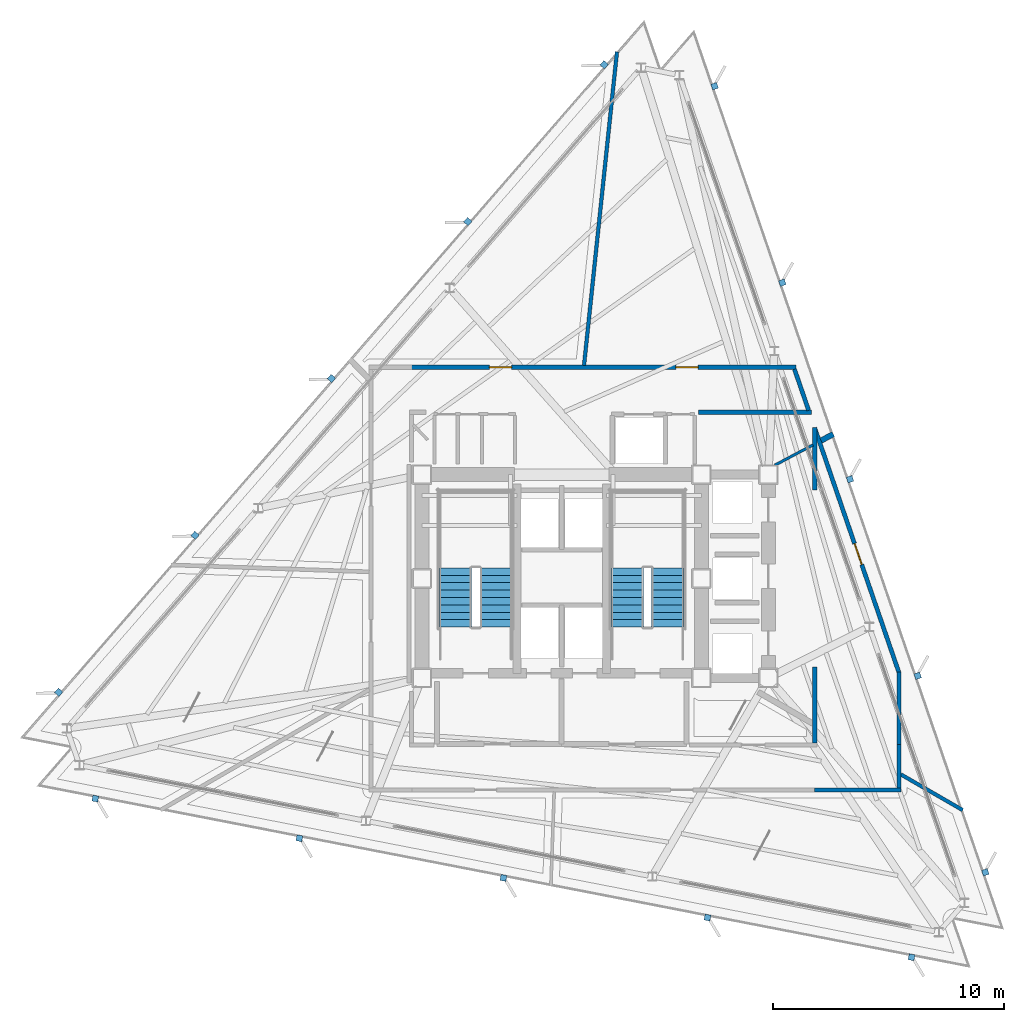
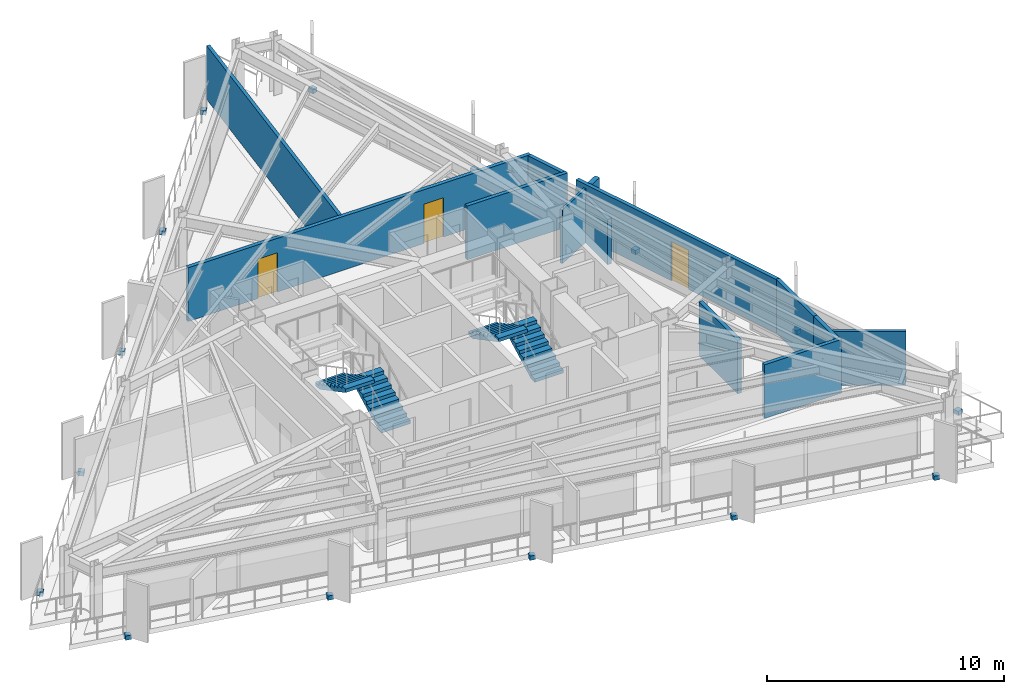
# One storey, part 10 of 13: 15 discrete accessories, 13 walls, 4 stair flights, 3 doors, 3 openings, 2 elements without a shape of their own.
"""IFC4 building model written with IfcOpenShell, lengths in metres."""

from ifc_helpers import new_model, si_unit, direction, frame, frame_2d, origin, origin_2d, place, context, subcontext, project, spatial, polyline, rectangle, outline, extrude, material, layer, layer_set, type_object, element, fill, aggregate, save


model = new_model("IFC4")

# Units and contexts
model_context = context("Model", 3, precision=1e-05, world=origin(), true_north=direction((0.0, 1.0)))
body_context = subcontext(model_context, "Body", "Model", "MODEL_VIEW")
ifc_project = project(units=[si_unit("LENGTHUNIT", "METRE"), si_unit("AREAUNIT", "SQUARE_METRE"), si_unit("VOLUMEUNIT", "CUBIC_METRE"), si_unit("PLANEANGLEUNIT", "RADIAN"), si_unit("MASSUNIT", "GRAM", prefix="KILO")], contexts=[model_context])

# Site, building, storey
site_placement = place(None, origin())
site = spatial("IfcSite", under=ifc_project, at=site_placement, CompositionType="ELEMENT")
building_placement = place(site_placement, origin())
building = spatial("IfcBuilding", under=site, at=building_placement, Name="Rocaltana Carrier Exchange", CompositionType="ELEMENT")
storey_placement = place(building_placement, frame((0.0, 0.0, 162.39990234375)))
storey = spatial("IfcBuildingStorey", under=building, at=storey_placement, Name="L51", CompositionType="ELEMENT", Elevation=162.39990234375)

# Walls
ifc_material_1 = material(Name="Double Acoustic Gypsum Partition", Category="gypsum")
ifc_layer_1 = layer(ifc_material_1, 0.159912109375)
ifc_layer_set_1 = layer_set([ifc_layer_1], Name="Double Acoustic Gypsum Partition")
wall_type_1 = type_object("IfcWallType", Name="Acoustic Studio Partition 160 EI60", PredefinedType="PARTITIONING", material=ifc_layer_set_1)
wall_1_placement = place(storey_placement, frame((14.679931640625, -8.4755859375, 0.0), z_axis=(0.0, 0.0, 1.0), x_axis=(0.866047813034, -0.499961184032, 0.0)))
element("IfcWall", 1, at=wall_1_placement, inside=storey, type_object=wall_type_1, Name="L51 Suite Divider Wall D4", PredefinedType="PARTITIONING", context=body_context, shape_type="SweptSolid", body=[
    extrude(rectangle(XDim=3.098388671875, YDim=0.159912109375, at=frame_2d((1.54931640625, 0.0))), origin(), (0.0, 0.0, 1.0), 2.76318359375),
])
wall_2_placement = place(storey_placement, frame((0.97021484375, 9.22998046875, 0.0), z_axis=(0.0, 0.0, 1.0), x_axis=(0.10452931889, 0.994521805438, 0.0)))
element("IfcWall", 2, at=wall_2_placement, inside=storey, type_object=wall_type_1, Name="L51 Suite Divider Wall D7", PredefinedType="PARTITIONING", context=body_context, shape_type="SweptSolid", body=[
    extrude(rectangle(XDim=13.651611328125, YDim=0.159912109375, at=frame_2d((6.82568359375, 0.0))), origin(), (0.0, 0.0, 1.0), 2.76318359375),
])

# Wall, openings, doors
ifc_material_2 = material(Name="Gypsum & Steel Stud Partition", Category="steel")
ifc_layer_2 = layer(ifc_material_2, 0.179931640625)
ifc_layer_set_2 = layer_set([ifc_layer_2], Name="Gypsum & Steel Stud Partition")
wall_type_2 = type_object("IfcWallType", Name="Corridor Fire Partition 180 EI60", PredefinedType="PARTITIONING", material=ifc_layer_set_2)
wall_3_placement = place(storey_placement, frame((-6.52001953125, 9.14990234375, 0.0), z_axis=(0.0, 0.0, 1.0), x_axis=(1.0, 0.0, 0.0)))
wall_3 = element("IfcWall", 3, at=wall_3_placement, inside=storey, type_object=wall_type_2, Name="L51 Corridor Partition 6", PredefinedType="PARTITIONING", context=body_context, shape_type="SweptSolid", body=[
    extrude(rectangle(XDim=16.662353515625, YDim=0.179931640625, at=frame_2d((8.3310546875, 0.0))), origin(), (0.0, 0.0, 1.0), 2.76318359375),
])
opening_1_placement = place(wall_3_placement, frame((11.46630859375, 0.0, 0.0)))
opening_1 = element("IfcOpeningElement", 4, at=opening_1_placement, cuts=wall_3, Name="Opening D-RM098", PredefinedType="OPENING", context=body_context, shape_type="SweptSolid", body=[
    extrude(rectangle(XDim=0.9599609375, YDim=2.02001953125, at=frame_2d((0.47998046875, 1.010009765625))), frame((0.0, 0.099853515625, 0.0), z_axis=(0.0, -1.0, 0.0), x_axis=(1.0, 0.0, 0.0)), (0.0, 0.0, 1.0), 0.199951171875),
])
opening_2_placement = place(wall_3_placement, frame((3.39501953125, 0.0, 0.0)))
opening_2 = element("IfcOpeningElement", 5, at=opening_2_placement, cuts=wall_3, Name="Opening D-RM098", PredefinedType="OPENING", context=body_context, shape_type="SweptSolid", body=[
    extrude(rectangle(XDim=0.9599609375, YDim=2.02001953125, at=frame_2d((0.47998046875, 1.010009765625))), frame((0.0, 0.099853515625, 0.0), z_axis=(0.0, -1.0, 0.0), x_axis=(1.0, 0.0, 0.0)), (0.0, 0.0, 1.0), 0.199951171875),
])
ifc_material_3 = material(Name="Engineered Hardwood Timber", Category="wood")
door_type = type_object("IfcDoorType", Name="Workspace Single Door 960x2020", OperationType="NOTDEFINED", PredefinedType="DOOR", material=ifc_material_3)
door_1_placement = place(opening_1_placement, origin())
door_1 = element("IfcDoor", 6, at=door_1_placement, inside=storey, type_object=door_type, Name="L51 Peering Conference Room Entrance Door", OperationType="SINGLE_SWING_LEFT", OverallHeight=2.02001953125, OverallWidth=0.9599609375, PredefinedType="DOOR", context=body_context, shape_type="SweptSolid", body=[
    extrude(rectangle(XDim=0.9599609375, YDim=2.02001953125, at=frame_2d((0.47998046875, 1.010009765625))), frame((0.0, 0.02490234375, 0.0), z_axis=(0.0, -1.0, 0.0), x_axis=(1.0, 0.0, 0.0)), (0.0, 0.0, 1.0), 0.050048828125),
])
fill(opening_1, door_1)
door_2_placement = place(opening_2_placement, origin())
door_2 = element("IfcDoor", 7, at=door_2_placement, inside=storey, type_object=door_type, Name="L51 Quiet Focus Lounge Entrance Door", OperationType="SINGLE_SWING_RIGHT", OverallHeight=2.02001953125, OverallWidth=0.9599609375, PredefinedType="DOOR", context=body_context, shape_type="SweptSolid", body=[
    extrude(rectangle(XDim=0.9599609375, YDim=2.02001953125, at=frame_2d((0.47998046875, 1.010009765625))), frame((0.0, 0.02490234375, 0.0), z_axis=(0.0, -1.0, 0.0), x_axis=(1.0, 0.0, 0.0)), (0.0, 0.0, 1.0), 0.050048828125),
])
fill(opening_2, door_2)

# Walls
wall_4_placement = place(storey_placement, frame((10.08154296875, 9.06494140625, 0.0), z_axis=(0.0, 0.0, 1.0), x_axis=(0.325550958337, -0.945524496524, 0.0)))
element("IfcWall", 8, at=wall_4_placement, inside=storey, type_object=wall_type_2, Name="L51 Corridor Partition 7", PredefinedType="PARTITIONING", context=body_context, shape_type="SweptSolid", body=[
    extrude(rectangle(XDim=1.88232421875, YDim=0.179931640625, at=frame_2d((0.941162109375, 0.0))), origin(), (0.0, 0.0, 1.0), 2.76318359375),
])
wall_5_placement = place(storey_placement, frame((10.813720703125, 7.199951171875, 0.0), z_axis=(0.0, 0.0, 1.0), x_axis=(-1.0, 0.0, 0.0)))
element("IfcWall", 9, at=wall_5_placement, inside=storey, type_object=wall_type_2, Name="L51 Corridor Partition 8", PredefinedType="PARTITIONING", context=body_context, shape_type="SweptSolid", body=[
    extrude(rectangle(XDim=4.8837890625, YDim=0.179931640625, at=frame_2d((2.44189453125, 0.0))), origin(), (0.0, 0.0, 1.0), 2.76318359375),
])
wall_6_placement = place(storey_placement, frame((10.9599609375, -7.110107421875, 0.0), z_axis=(0.0, 0.0, 1.0), x_axis=(0.0, 1.0, 0.0)))
element("IfcWall", 10, at=wall_6_placement, inside=storey, type_object=wall_type_2, Name="L51 Corridor Partition 15", PredefinedType="PARTITIONING", context=body_context, shape_type="SweptSolid", body=[
    extrude(rectangle(XDim=3.2705078125, YDim=0.179931640625, at=frame_2d((1.63525390625, 0.0))), origin(), (0.0, 0.0, 1.0), 2.76318359375),
])
wall_7_placement = place(storey_placement, frame((10.9599609375, 3.839599609375, 0.0), z_axis=(0.0, 0.0, 1.0), x_axis=(0.0, 1.0, 0.0)))
element("IfcWall", 11, at=wall_7_placement, inside=storey, type_object=wall_type_2, Name="L51 Corridor Partition 16", PredefinedType="PARTITIONING", context=body_context, shape_type="SweptSolid", body=[
    extrude(rectangle(XDim=2.694091796875, YDim=0.179931640625, at=frame_2d((1.34716796875, 0.0))), origin(), (0.0, 0.0, 1.0), 2.330078125),
])

# Wall, opening, door
wall_8_placement = place(storey_placement, frame((10.95361328125, 6.53271484375, 0.0), z_axis=(0.0, 0.0, 1.0), x_axis=(0.325553439946, -0.945523642084, 0.0)))
wall_8 = element("IfcWall", 12, at=wall_8_placement, inside=storey, type_object=wall_type_2, Name="L51 Corridor Partition 17", PredefinedType="PARTITIONING", context=body_context, shape_type="SweptSolid", body=[
    extrude(rectangle(XDim=11.220458984375, YDim=0.179931640625, at=frame_2d((5.6103515625, 0.0))), origin(), (0.0, 0.0, 1.0), 2.76318359375),
])
opening_3_placement = place(wall_8_placement, frame((5.310791015625, 0.0, 0.0)))
opening_3 = element("IfcOpeningElement", 13, at=opening_3_placement, cuts=wall_8, Name="Opening D-RM098", PredefinedType="OPENING", context=body_context, shape_type="SweptSolid", body=[
    extrude(rectangle(XDim=0.9599609375, YDim=2.02001953125, at=frame_2d((0.47998046875, 1.010009765625))), frame((0.0, 0.099853515625, 0.0), z_axis=(0.0, -1.0, 0.0), x_axis=(1.0, 0.0, 0.0)), (0.0, 0.0, 1.0), 0.199951171875),
])
door_3_placement = place(opening_3_placement, origin())
door_3 = element("IfcDoor", 14, at=door_3_placement, inside=storey, type_object=door_type, Name="L51 Quiet Focus Lounge Entrance Door", OperationType="SINGLE_SWING_RIGHT", OverallHeight=2.02001953125, OverallWidth=0.9599609375, PredefinedType="DOOR", context=body_context, shape_type="SweptSolid", body=[
    extrude(rectangle(XDim=0.9599609375, YDim=2.02001953125, at=frame_2d((0.47998046875, 1.010009765625))), frame((0.0, 0.02490234375, 0.0), z_axis=(0.0, -1.0, 0.0), x_axis=(1.0, 0.0, 0.0)), (0.0, 0.0, 1.0), 0.050048828125),
])
fill(opening_3, door_3)

# Walls
wall_9_placement = place(storey_placement, frame((14.60009765625, -4.03759765625, 0.0), z_axis=(0.0, 0.0, 1.0), x_axis=(0.0, -1.0, 0.0)))
element("IfcWall", 15, at=wall_9_placement, inside=storey, type_object=wall_type_2, Name="L51 Corridor Partition 18", PredefinedType="PARTITIONING", context=body_context, shape_type="SweptSolid", body=[
    extrude(rectangle(XDim=3.182373046875, YDim=0.179931640625, at=frame_2d((1.59130859375, 0.0))), origin(), (0.0, 0.0, 1.0), 2.76318359375),
])
wall_10_placement = place(storey_placement, frame((14.60009765625, -7.179931640625, 0.0), z_axis=(0.0, 0.0, 1.0), x_axis=(0.0, -1.0, 0.0)))
element("IfcWall", 16, at=wall_10_placement, inside=storey, type_object=wall_type_2, Name="L51 Corridor Partition 19", PredefinedType="PARTITIONING", context=body_context, shape_type="SweptSolid", body=[
    extrude(rectangle(XDim=1.880126953125, YDim=0.179931640625, at=frame_2d((0.93994140625, 0.0))), origin(), (0.0, 0.0, 1.0), 2.76318359375),
])
wall_11_placement = place(storey_placement, frame((14.68994140625, -9.14990234375, 0.0), z_axis=(0.0, 0.0, 1.0), x_axis=(-1.0, 0.0, 0.0)))
element("IfcWall", 17, at=wall_11_placement, inside=storey, type_object=wall_type_2, Name="L51 Corridor Partition 20", PredefinedType="PARTITIONING", context=body_context, shape_type="SweptSolid", body=[
    extrude(rectangle(XDim=3.75, YDim=0.179931640625, at=frame_2d((1.875, 0.0))), origin(), (0.0, 0.0, 1.0), 2.76318359375),
])
ifc_material_4 = material(Name="Aluminium 6063-T6 & Acoustic Glass", Category="aluminium")
ifc_layer_3 = layer(ifc_material_4, 0.114990234375)
ifc_layer_set_3 = layer_set([ifc_layer_3], Name="Aluminium 6063-T6 & Acoustic Glass")
wall_type_3 = type_object("IfcWallType", Name="Demountable Glazed Lab Partition 115", PredefinedType="MOVABLE", material=ifc_layer_set_3)
wall_12_placement = place(storey_placement, frame((9.234375, 4.909912109375, 0.0), z_axis=(0.0, 0.0, 1.0), x_axis=(0.882932473202, 0.46949999762, 0.0)))
element("IfcWall", 18, at=wall_12_placement, inside=storey, type_object=wall_type_3, Name="L51 Suite Divider Wall D5", PredefinedType="MOVABLE", context=body_context, shape_type="SweptSolid", body=[
    extrude(rectangle(XDim=1.86376953125, YDim=0.114990234375, at=frame_2d((0.931884765625, 0.0))), origin(), (0.0, 0.0, 1.0), 2.76318359375),
])
ifc_material_5 = material(Name="Acoustic Calcium Silicate Partition", Category="gypsum")
ifc_layer_4 = layer(ifc_material_5, 0.239990234375)
ifc_layer_set_4 = layer_set([ifc_layer_4], Name="Acoustic Calcium Silicate Partition")
wall_type_4 = type_object("IfcWallType", Name="Heavy Lab Partition 240 EI90", PredefinedType="PARTITIONING", material=ifc_layer_set_4)
wall_13_placement = place(storey_placement, frame((11.231201171875, 5.9716796875, 0.0), z_axis=(0.0, 0.0, 1.0), x_axis=(0.882951671469, 0.469463891956, 0.0)))
element("IfcWall", 19, at=wall_13_placement, inside=storey, type_object=wall_type_4, Name="L51 Suite Divider Wall D6", PredefinedType="PARTITIONING", context=body_context, shape_type="SweptSolid", body=[
    extrude(rectangle(XDim=0.597412109375, YDim=0.239990234375, at=frame_2d((0.298828125, 0.0))), origin(), (0.0, 0.0, 1.0), 2.76318359375),
])

# Stair, stair flights
ifc_material_6 = material(Name="Precast concrete C45/55", Category="concrete")
stair_type = type_object("IfcStairType", Name="Standard Dog-Leg Stair 160", PredefinedType="HALF_TURN_STAIR", material=ifc_material_6)
stair_1_placement = place(storey_placement, origin())
stair_1 = element("IfcStair", 20, at=stair_1_placement, inside=storey, type_object=stair_type, Name="L51 Core West Exit Stair ST-1", PredefinedType="HALF_TURN_STAIR")
ifc_material_7 = material(Name="Precast concrete C45/55", Category="concrete")
stair_flight_type = type_object("IfcStairFlightType", Name="Precast Stair Flight 160", PredefinedType="STRAIGHT", material=ifc_material_7)
stair_flight_1_placement = place(storey_placement, frame((-2.840087890625, -2.10009765625, 0.0), z_axis=(0.0, 0.0, 1.0), x_axis=(0.0, 1.0, 0.0)))
stair_flight_1 = element("IfcStairFlight", 21, at=stair_flight_1_placement, type_object=stair_flight_type, Name="ST-1 flight 1", NumberOfRisers=9, NumberOfTreads=8, PredefinedType="STRAIGHT", RiserHeight=0.168888889, TreadLength=0.32, context=body_context, shape_type="SweptSolid", body=[
    extrude(outline(polyline([(0.0, 0.0), (0.0, 0.1689453125), (0.320068359375, 0.1689453125), (0.320068359375, 0.337890625), (0.639892578125, 0.337890625), (0.639892578125, 0.506591796875), (0.9599609375, 0.506591796875), (0.9599609375, 0.675537109375), (1.280029296875, 0.675537109375), (1.280029296875, 0.844482421875), (1.60009765625, 0.844482421875), (1.60009765625, 1.013427734375), (1.919921875, 1.013427734375), (1.919921875, 1.18212890625), (2.239990234375, 1.18212890625), (2.239990234375, 1.35107421875), (2.56005859375, 1.35107421875), (2.56005859375, 1.52001953125), (2.56005859375, 1.17041015625), (0.342529296875, 0.0), (0.0, 0.0)])), frame((0.0, 0.699951171875, 0.0), z_axis=(0.0, -1.0, 0.0), x_axis=(1.0, 0.0, 0.0)), (0.0, 0.0, 1.0), 1.39990234375),
])
stair_flight_2_placement = place(storey_placement, frame((-4.60009765625, 0.4599609375, 1.52001953125), z_axis=(0.0, 0.0, 1.0), x_axis=(0.0, -1.0, 0.0)))
stair_flight_2 = element("IfcStairFlight", 22, at=stair_flight_2_placement, type_object=stair_flight_type, Name="ST-1 flight 2", NumberOfRisers=9, NumberOfTreads=8, PredefinedType="STRAIGHT", RiserHeight=0.168888889, TreadLength=0.32, context=body_context, shape_type="SweptSolid", body=[
    extrude(outline(polyline([(0.0, 0.0), (0.0, 0.1689453125), (0.320068359375, 0.1689453125), (0.320068359375, 0.337890625), (0.639892578125, 0.337890625), (0.639892578125, 0.506591796875), (0.9599609375, 0.506591796875), (0.9599609375, 0.675537109375), (1.280029296875, 0.675537109375), (1.280029296875, 0.844482421875), (1.60009765625, 0.844482421875), (1.60009765625, 1.013427734375), (1.919921875, 1.013427734375), (1.919921875, 1.18212890625), (2.239990234375, 1.18212890625), (2.239990234375, 1.35107421875), (2.56005859375, 1.35107421875), (2.56005859375, 1.52001953125), (2.56005859375, 1.17041015625), (0.342529296875, 0.0), (0.0, 0.0)])), frame((0.0, 0.699951171875, 0.0), z_axis=(0.0, -1.0, 0.0), x_axis=(1.0, 0.0, 0.0)), (0.0, 0.0, 1.0), 1.39990234375),
])
aggregate(stair_1, [stair_flight_1, stair_flight_2])

stair_2_placement = place(storey_placement, origin())
stair_2 = element("IfcStair", 23, at=stair_2_placement, inside=storey, type_object=stair_type, Name="L51 Core East Exit Stair ST-2", PredefinedType="HALF_TURN_STAIR")
stair_flight_3_placement = place(storey_placement, frame((4.60009765625, -2.10009765625, 0.0), z_axis=(0.0, 0.0, 1.0), x_axis=(0.0, 1.0, 0.0)))
stair_flight_3 = element("IfcStairFlight", 24, at=stair_flight_3_placement, type_object=stair_flight_type, Name="ST-2 flight 1", NumberOfRisers=9, NumberOfTreads=8, PredefinedType="STRAIGHT", RiserHeight=0.168888889, TreadLength=0.32, context=body_context, shape_type="SweptSolid", body=[
    extrude(outline(polyline([(0.0, 0.0), (0.0, 0.1689453125), (0.320068359375, 0.1689453125), (0.320068359375, 0.337890625), (0.639892578125, 0.337890625), (0.639892578125, 0.506591796875), (0.9599609375, 0.506591796875), (0.9599609375, 0.675537109375), (1.280029296875, 0.675537109375), (1.280029296875, 0.844482421875), (1.60009765625, 0.844482421875), (1.60009765625, 1.013427734375), (1.919921875, 1.013427734375), (1.919921875, 1.18212890625), (2.239990234375, 1.18212890625), (2.239990234375, 1.35107421875), (2.56005859375, 1.35107421875), (2.56005859375, 1.52001953125), (2.56005859375, 1.17041015625), (0.342529296875, 0.0), (0.0, 0.0)])), frame((0.0, 0.699951171875, 0.0), z_axis=(0.0, -1.0, 0.0), x_axis=(1.0, 0.0, 0.0)), (0.0, 0.0, 1.0), 1.39990234375),
])
stair_flight_4_placement = place(storey_placement, frame((2.840087890625, 0.4599609375, 1.52001953125), z_axis=(0.0, 0.0, 1.0), x_axis=(0.0, -1.0, 0.0)))
stair_flight_4 = element("IfcStairFlight", 25, at=stair_flight_4_placement, type_object=stair_flight_type, Name="ST-2 flight 2", NumberOfRisers=9, NumberOfTreads=8, PredefinedType="STRAIGHT", RiserHeight=0.168888889, TreadLength=0.32, context=body_context, shape_type="SweptSolid", body=[
    extrude(outline(polyline([(0.0, 0.0), (0.0, 0.1689453125), (0.320068359375, 0.1689453125), (0.320068359375, 0.337890625), (0.639892578125, 0.337890625), (0.639892578125, 0.506591796875), (0.9599609375, 0.506591796875), (0.9599609375, 0.675537109375), (1.280029296875, 0.675537109375), (1.280029296875, 0.844482421875), (1.60009765625, 0.844482421875), (1.60009765625, 1.013427734375), (1.919921875, 1.013427734375), (1.919921875, 1.18212890625), (2.239990234375, 1.18212890625), (2.239990234375, 1.35107421875), (2.56005859375, 1.35107421875), (2.56005859375, 1.52001953125), (2.56005859375, 1.17041015625), (0.342529296875, 0.0), (0.0, 0.0)])), frame((0.0, 0.699951171875, 0.0), z_axis=(0.0, -1.0, 0.0), x_axis=(1.0, 0.0, 0.0)), (0.0, 0.0, 1.0), 1.39990234375),
])
aggregate(stair_2, [stair_flight_3, stair_flight_4])

# Discrete accessories
ifc_material_8 = material(Name="Brushed Architectural Stainless Metal", Category="steel")
ifc_layer_5 = layer(ifc_material_8, 0.219970703125)
ifc_layer_set_5 = layer_set([ifc_layer_5], Name="Brushed Architectural Stainless Metal")
discrete_accessory_type = type_object("IfcDiscreteAccessoryType", Name="Stainless Fin Slab-Edge Bracket 260x260x220", PredefinedType="BRACKET", material=ifc_layer_set_5)
for number, where, z_axis, x_axis, name in (
    (26, (18.344482421875, -12.720703125, -0.2099609375), (0.0, 0.0, 1.0), (-0.325568154457, 0.945518575599, 0.0), "L51 Sandstone Fin Edge Bracket F1-01"),
    (27, (15.414306640625, -4.2109375, -0.2099609375), (0.0, 0.0, 1.0), (-0.325568154457, 0.945518575599, 0.0), "L51 Sandstone Fin Edge Bracket F1-02"),
    (28, (12.484130859375, 4.298583984375, -0.2099609375), (0.0, 0.0, 1.0), (-0.325568154457, 0.945518575599, 0.0), "L51 Sandstone Fin Edge Bracket F1-03"),
    (29, (9.55419921875, 12.808349609375, -0.2099609375), (0.0, 0.0, 1.0), (-0.325568154457, 0.945518575599, 0.0), "L51 Sandstone Fin Edge Bracket F1-04"),
    (30, (6.6240234375, 21.318115234375, -0.2099609375), (0.0, 0.0, 1.0), (-0.325568154457, 0.945518575599, 0.0), "L51 Sandstone Fin Edge Bracket F1-05"),
    (31, (1.84423828125, 22.2470703125, -0.2099609375), (0.0, 0.0, 1.0), (-0.656059028991, -0.754709580223, 0.0), "L51 Sandstone Fin Edge Bracket F2-01"),
    (32, (-4.060302734375, 15.45458984375, -0.2099609375), (0.0, 0.0, 1.0), (-0.656059028991, -0.754709580223, 0.0), "L51 Sandstone Fin Edge Bracket F2-02"),
    (33, (-9.96484375, 8.662353515625, -0.2099609375), (0.0, 0.0, 1.0), (-0.656059028991, -0.754709580223, 0.0), "L51 Sandstone Fin Edge Bracket F2-03"),
    (34, (-15.869384765625, 1.869873046875, -0.2099609375), (0.0, 0.0, 1.0), (-0.656059028991, -0.754709580223, 0.0), "L51 Sandstone Fin Edge Bracket F2-04"),
    (35, (-21.77392578125, -4.92236328125, -0.2099609375), (0.0, 0.0, 1.0), (-0.656059028991, -0.754709580223, 0.0), "L51 Sandstone Fin Edge Bracket F2-05"),
    (36, (-20.188720703125, -9.5263671875, -0.2099609375), (0.0, 0.0, 1.0), (0.981627183448, -0.190808995377, 0.0), "L51 Sandstone Fin Edge Bracket F3-01"),
    (37, (-11.35400390625, -11.24365234375, -0.2099609375), (0.0, 0.0, 1.0), (0.981627183448, -0.190808995377, 0.0), "L51 Sandstone Fin Edge Bracket F3-02"),
    (38, (-2.519287109375, -12.9609375, -0.2099609375), (0.0, 0.0, 1.0), (0.981627183448, -0.190808995377, 0.0), "L51 Sandstone Fin Edge Bracket F3-03"),
    (39, (6.315185546875, -14.67822265625, -0.2099609375), (0.0, 0.0, 1.0), (0.981627183448, -0.190808995377, 0.0), "L51 Sandstone Fin Edge Bracket F3-04"),
    (40, (15.14990234375, -16.3955078125, -0.2099609375), (0.0, 0.0, 1.0), (0.981627183448, -0.190808995377, 0.0), "L51 Sandstone Fin Edge Bracket F3-05"),
):
    element("IfcDiscreteAccessory", number, at=place(storey_placement, frame(where, z_axis=z_axis, x_axis=x_axis)), inside=storey, type_object=discrete_accessory_type, Name=name, PredefinedType="BRACKET", context=body_context, shape_type="SweptSolid", body=[
        extrude(rectangle(XDim=0.260009765625, YDim=0.260009765625, at=origin_2d()), origin(), (0.0, 0.0, 1.0), 0.219970703125),
    ])

save(model, "model.ifc")
